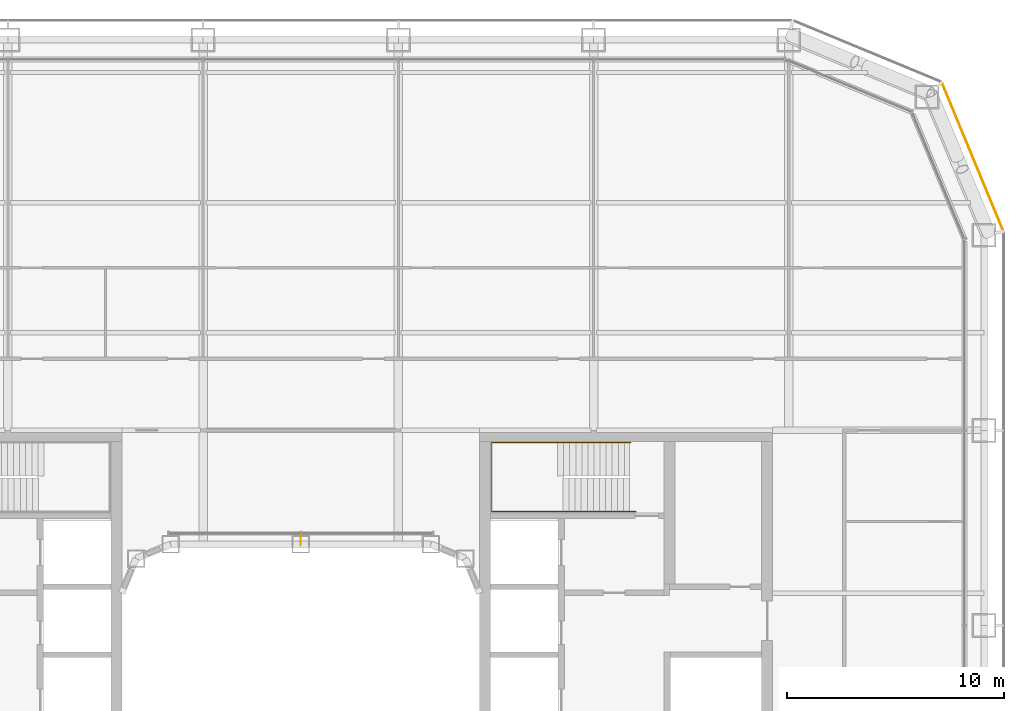
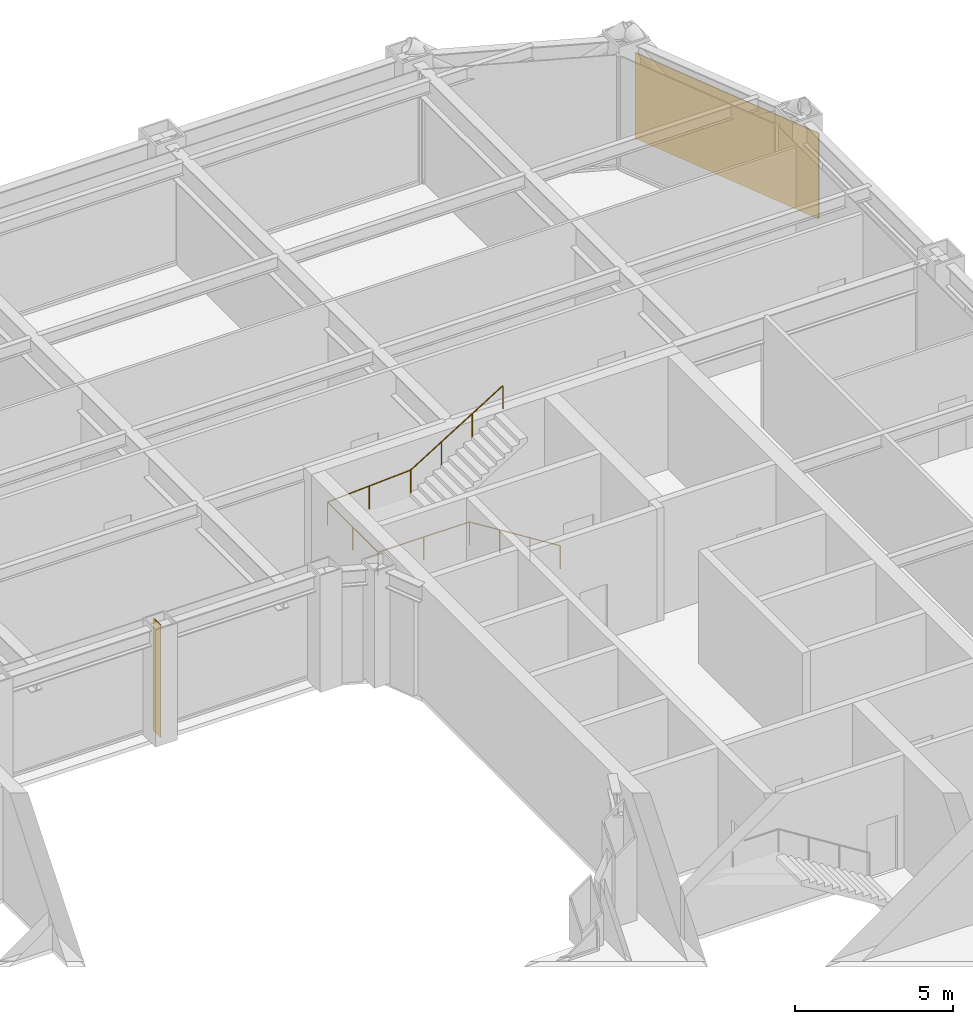
# One storey, part 23 of 24: 1 covering, 1 railing, 1 shading device.
"""IFC4 building model written with IfcOpenShell, lengths in metres."""

from ifc_helpers import new_model, si_unit, direction, frame, origin, origin_2d, place, context, subcontext, project, spatial, rectangle, circle, extrude, material, layer, layer_set, type_object, element, save


model = new_model("IFC4")

# Units and contexts
model_context = context("Model", 3, precision=1e-05, world=origin(), true_north=direction((0.0, 1.0)))
body_context = subcontext(model_context, "Body", "Model", "MODEL_VIEW")
ifc_project = project(units=[si_unit("LENGTHUNIT", "METRE"), si_unit("AREAUNIT", "SQUARE_METRE"), si_unit("VOLUMEUNIT", "CUBIC_METRE"), si_unit("PLANEANGLEUNIT", "RADIAN"), si_unit("MASSUNIT", "GRAM", prefix="KILO")], contexts=[model_context])

# Site, building, storey
site_placement = place(None, origin())
site = spatial("IfcSite", under=ifc_project, at=site_placement, CompositionType="ELEMENT")
building_placement = place(site_placement, origin())
building = spatial("IfcBuilding", under=site, at=building_placement, Name="Siwar Civic Tower", CompositionType="ELEMENT")
storey_placement = place(building_placement, frame((0.0, 0.0, 40.199951171875)))
storey = spatial("IfcBuildingStorey", under=building, at=storey_placement, Name="L08", CompositionType="ELEMENT", Elevation=40.199951171875)

# Railing
ifc_material_1 = material(Name="Stainless steel", Category="steel")
railing_type = type_object("IfcRailingType", Name="CORE-STAIR-HANDRAIL", PredefinedType="HANDRAIL", material=ifc_material_1)
railing_placement = place(storey_placement, frame((15.449951171875, 9.758056640625, 0.173095703125)))
element("IfcRailing", 1, at=railing_placement, inside=storey, type_object=railing_type, Name="Stair handrail ST3", PredefinedType="HANDRAIL", context=body_context, shape_type="SweptSolid", body=[
    extrude(circle(Radius=0.02001953125, at=origin_2d()), frame((0.0, 0.0, 0.8798828125), z_axis=(-0.847063342986, 0.0, 0.531491950051), x_axis=(0.0, -1.0, 0.0)), (0.0, 0.0, 1.0), 3.90771484375),
    extrude(circle(Radius=0.02001953125, at=origin_2d()), frame((-3.31005859375, 0.0, 2.956787109375), z_axis=(-1.0, 0.0, 0.0), x_axis=(0.0, -1.0, 0.0)), (0.0, 0.0, 1.0), 3.331787109375),
    extrude(circle(Radius=0.02001953125, at=origin_2d()), frame((-6.641845703125, 0.0, 2.956787109375), z_axis=(0.0, 1.0, 0.0), x_axis=(-1.0, 0.0, 0.0)), (0.0, 0.0, 1.0), 3.183837890625),
    extrude(circle(Radius=0.02001953125, at=origin_2d()), frame((-6.641845703125, 3.183837890625, 2.956787109375), z_axis=(0.99837434197, 0.0, 0.056997134106), x_axis=(0.0, 1.0, 0.0)), (0.0, 0.0, 1.0), 3.036865234375),
    extrude(circle(Radius=0.02001953125, at=origin_2d()), frame((-3.60986328125, 3.183837890625, 3.1298828125), z_axis=(0.850606129759, 0.0, 0.525803396734), x_axis=(0.0, 1.0, 0.0)), (0.0, 0.0, 1.0), 3.949951171875),
    extrude(circle(Radius=0.02001953125, at=origin_2d()), origin(), (0.0, 0.0, 1.0), 0.85986328125),
    extrude(circle(Radius=0.02001953125, at=origin_2d()), frame((-1.103271484375, 0.0, 0.6923828125)), (0.0, 0.0, 1.0), 0.85986328125),
    extrude(circle(Radius=0.02001953125, at=origin_2d()), frame((-2.206787109375, 0.0, 1.384521484375)), (0.0, 0.0, 1.0), 0.85986328125),
    extrude(circle(Radius=0.02001953125, at=origin_2d()), frame((-3.31005859375, 0.0, 2.076904296875)), (0.0, 0.0, 1.0), 0.85986328125),
    extrude(circle(Radius=0.02001953125, at=origin_2d()), frame((-4.97607421875, 0.0, 2.076904296875)), (0.0, 0.0, 1.0), 0.85986328125),
    extrude(circle(Radius=0.02001953125, at=origin_2d()), frame((-6.641845703125, 0.0, 2.076904296875)), (0.0, 0.0, 1.0), 0.85986328125),
    extrude(circle(Radius=0.02001953125, at=origin_2d()), frame((-6.641845703125, 1.591796875, 2.076904296875)), (0.0, 0.0, 1.0), 0.85986328125),
    extrude(circle(Radius=0.02001953125, at=origin_2d()), frame((-6.641845703125, 3.183837890625, 2.076904296875)), (0.0, 0.0, 1.0), 0.85986328125),
    extrude(circle(Radius=0.02001953125, at=origin_2d()), frame((-5.1259765625, 3.183837890625, 2.16357421875)), (0.0, 0.0, 1.0), 0.85986328125),
    extrude(circle(Radius=0.02001953125, at=origin_2d()), frame((-3.60986328125, 3.183837890625, 2.25)), (0.0, 0.0, 1.0), 0.85986328125),
    extrude(circle(Radius=0.02001953125, at=origin_2d()), frame((-2.489990234375, 3.183837890625, 2.9423828125)), (0.0, 0.0, 1.0), 0.85986328125),
    extrude(circle(Radius=0.02001953125, at=origin_2d()), frame((-1.369873046875, 3.183837890625, 3.634521484375)), (0.0, 0.0, 1.0), 0.85986328125),
    extrude(circle(Radius=0.02001953125, at=origin_2d()), frame((-0.25, 3.183837890625, 4.326904296875)), (0.0, 0.0, 1.0), 0.85986328125),
])

# Shading device
ifc_material_2 = material(Name="Aluminium 6063-T6", Category="aluminium")
ifc_layer_1 = layer(ifc_material_2, 0.02001953125)
ifc_layer_set_1 = layer_set([ifc_layer_1], Name="Aluminium 6063-T6")
shading_device_type = type_object("IfcShadingDeviceType", Name="ENV-FIN", PredefinedType="JALOUSIE", material=ifc_layer_set_1)
shading_device_placement = place(storey_placement, frame((0.0, 8.445068359375, 0.0), z_axis=(0.0, 0.0, 1.0), x_axis=(-1.0, 0.0, 0.0)))
element("IfcShadingDevice", 2, at=shading_device_placement, inside=storey, type_object=shading_device_type, Name="SUNSHADE fin WN 1", PredefinedType="JALOUSIE", context=body_context, shape_type="SweptSolid", body=[
    extrude(rectangle(XDim=0.02001953125, YDim=0.449951171875, at=origin_2d()), origin(), (0.0, 0.0, 1.0), 4.35009765625),
])

# Covering
ifc_material_3 = material(Name="Perforated aluminium cassette, pale metal", Category="aluminium")
ifc_layer_2 = layer(ifc_material_3, 0.0400390625)
ifc_layer_set_2 = layer_set([ifc_layer_2], Name="Perforated aluminium cassette, pale metal")
covering_type = type_object("IfcCoveringType", Name="ENV-OUTER SKIN OS-1", PredefinedType="CLADDING", material=ifc_layer_set_2)
covering_placement = place(storey_placement, frame((30.976318359375, 26.115966796875, -0.14990234375), z_axis=(0.0, 0.0, 1.0), x_axis=(-0.382683432365, 0.923879532511, 0.0)))
element("IfcCovering", 3, at=covering_placement, inside=storey, type_object=covering_type, Name="OUTER SKIN OS-1 NE1 1", PredefinedType="CLADDING", context=body_context, shape_type="SweptSolid", body=[
    extrude(rectangle(XDim=7.300048828125, YDim=0.0400390625, at=origin_2d()), origin(), (0.0, 0.0, 1.0), 3.300048828125),
])

save(model, "model.ifc")
